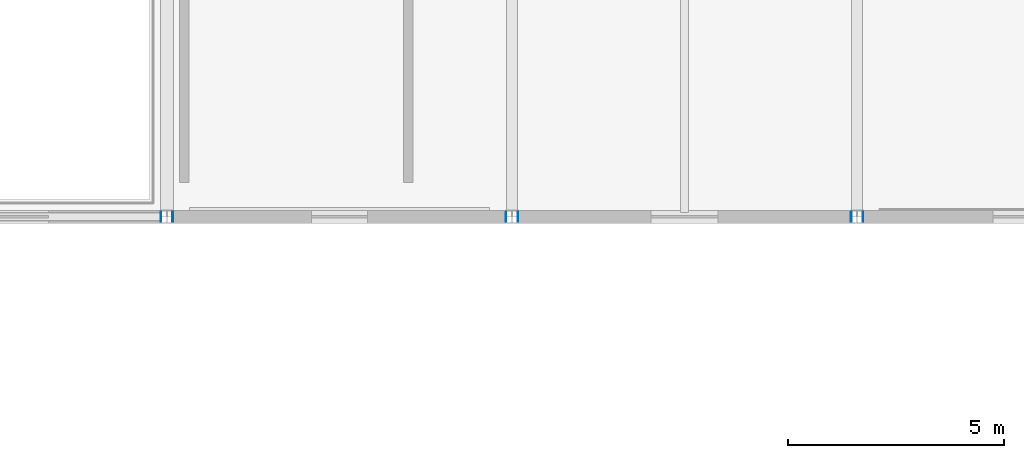
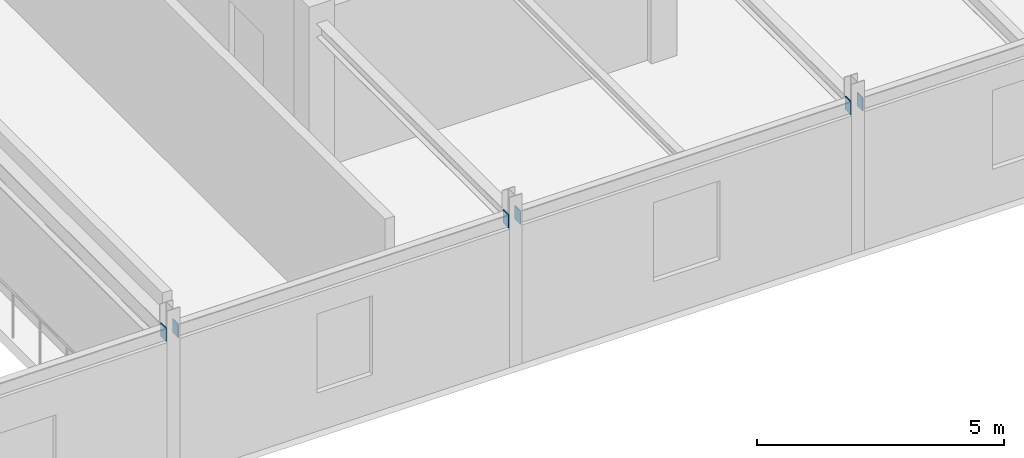
# One storey, part 70 of 88: 6 plates.
"""IFC4 building model written with IfcOpenShell, lengths in metres."""

from ifc_helpers import new_model, si_unit, direction, frame, origin, origin_2d, place, context, subcontext, project, spatial, rectangle, extrude, material, layer, layer_set, type_object, element, save


model = new_model("IFC4")

# Units and contexts
model_context = context("Model", 3, precision=1e-05, world=origin(), true_north=direction((0.0, 1.0)))
body_context = subcontext(model_context, "Body", "Model", "MODEL_VIEW")
ifc_project = project(units=[si_unit("LENGTHUNIT", "METRE"), si_unit("AREAUNIT", "SQUARE_METRE"), si_unit("VOLUMEUNIT", "CUBIC_METRE"), si_unit("PLANEANGLEUNIT", "RADIAN"), si_unit("MASSUNIT", "GRAM", prefix="KILO")], contexts=[model_context])

# Site, building, storey
site_placement = place(None, origin())
site = spatial("IfcSite", under=ifc_project, at=site_placement, CompositionType="ELEMENT")
building_placement = place(site_placement, origin())
building = spatial("IfcBuilding", under=site, at=building_placement, Name="Zhaolan Boulevard Law Courts", CompositionType="ELEMENT")
storey_placement = place(building_placement, frame((0.0, 0.0, 16.199951171875)))
storey = spatial("IfcBuildingStorey", under=building, at=storey_placement, Name="L03", CompositionType="ELEMENT", Elevation=16.199951171875)

# Plates
ifc_material = material(Name="Structural steel Q355B", Category="steel")
ifc_layer = layer(ifc_material, 0.02001953125)
ifc_layer_set = layer_set([ifc_layer])
plate_type = type_object("IfcPlateType", Name="END CAP PLATE 20", PredefinedType="SHEET", material=ifc_layer_set)
for number, where, z_axis, x_axis, name in (
    (1, (131.862060546875, 62.0, 3.423095703125), (0.0, 0.0, 1.0), (1.0, 0.0, 0.0), "Hollow Section End-Cap Plate ECP-0926"),
    (2, (132.137939453125, 62.0, 3.423095703125), (0.0, 0.0, 1.0), (1.0, 0.0, 0.0), "Hollow Section End-Cap Plate ECP-0927"),
    (3, (139.862060546875, 62.0, 3.423095703125), (0.0, 0.0, 1.0), (1.0, 0.0, 0.0), "Hollow Section End-Cap Plate ECP-0928"),
    (4, (140.137939453125, 62.0, 3.423095703125), (0.0, 0.0, 1.0), (1.0, 0.0, 0.0), "Hollow Section End-Cap Plate ECP-0929"),
    (5, (147.862060546875, 62.0, 3.423095703125), (0.0, 0.0, 1.0), (1.0, 0.0, 0.0), "Hollow Section End-Cap Plate ECP-0930"),
    (6, (148.137939453125, 62.0, 3.423095703125), (0.0, 0.0, 1.0), (1.0, 0.0, 0.0), "Hollow Section End-Cap Plate ECP-0931"),
):
    element("IfcPlate", number, at=place(storey_placement, frame(where, z_axis=z_axis, x_axis=x_axis)), inside=storey, type_object=plate_type, Name=name, PredefinedType="SHEET", context=body_context, shape_type="SweptSolid", body=[
        extrude(rectangle(XDim=0.02001953125, YDim=0.22998046875, at=origin_2d()), origin(), (0.0, 0.0, 1.0), 0.330078125),
    ])

save(model, "model.ifc")
